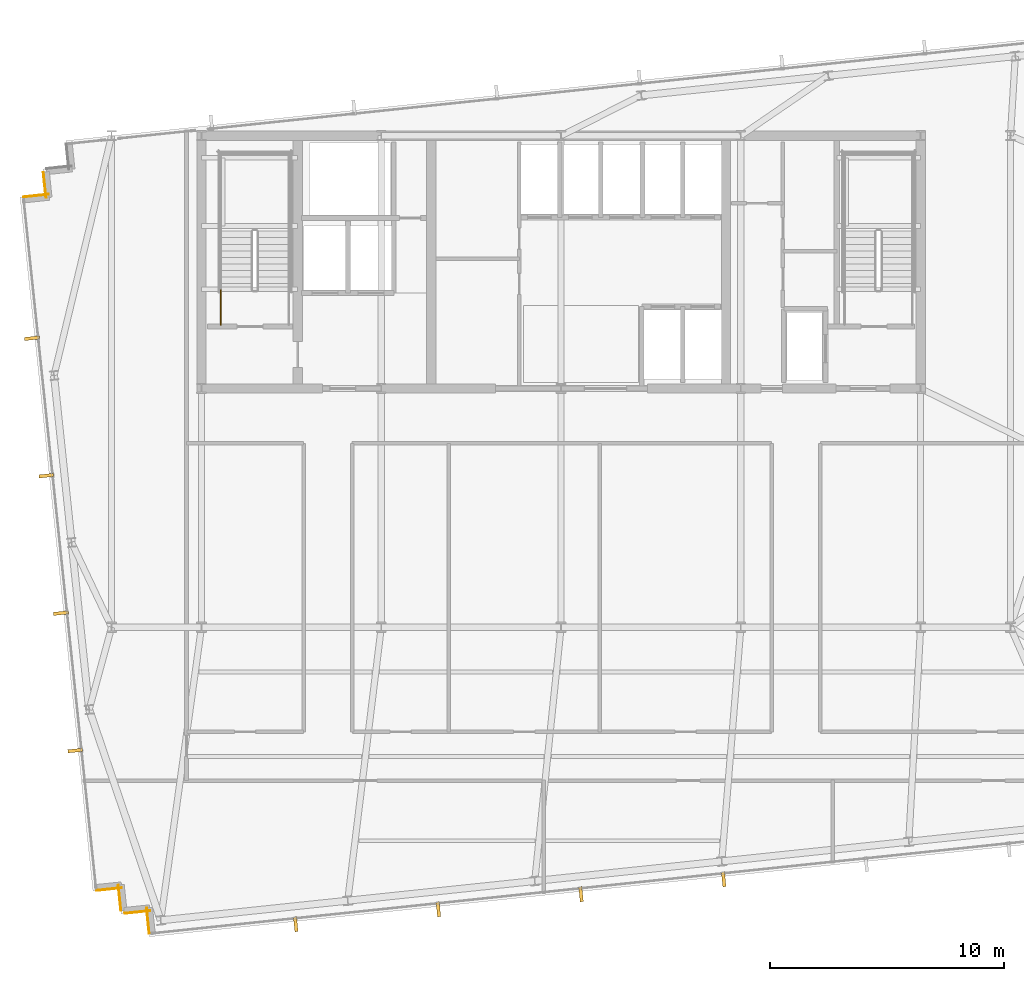
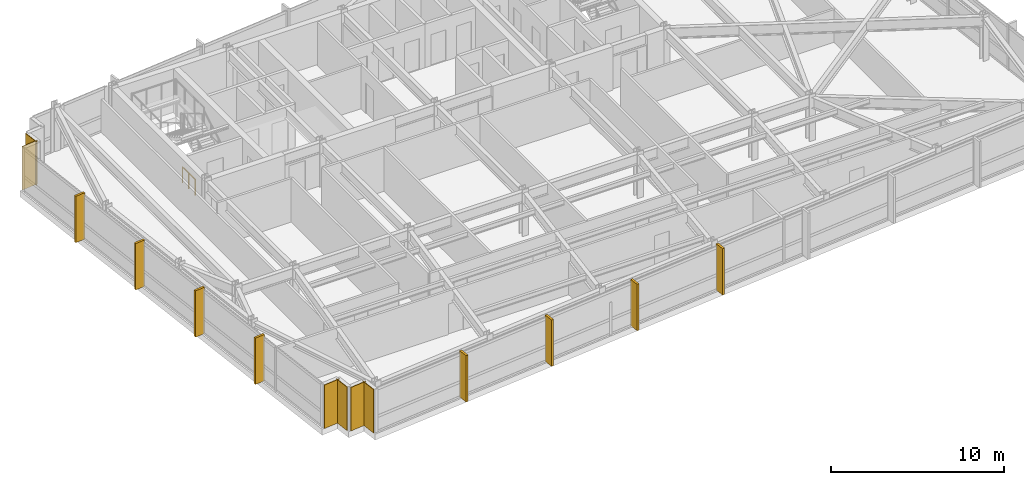
# One storey, part 23 of 26: 8 shading devices, 6 coverings, 1 railing.
"""IFC4 building model written with IfcOpenShell, lengths in metres."""

from ifc_helpers import new_model, si_unit, direction, frame, frame_2d, origin, origin_2d, place, context, subcontext, project, spatial, rectangle, circle, extrude, material, layer, layer_set, type_object, element, save


model = new_model("IFC4")

# Units and contexts
model_context = context("Model", 3, precision=1e-05, world=origin(), true_north=direction((0.0, 1.0)))
body_context = subcontext(model_context, "Body", "Model", "MODEL_VIEW")
ifc_project = project(units=[si_unit("LENGTHUNIT", "METRE"), si_unit("AREAUNIT", "SQUARE_METRE"), si_unit("VOLUMEUNIT", "CUBIC_METRE"), si_unit("PLANEANGLEUNIT", "RADIAN"), si_unit("MASSUNIT", "GRAM", prefix="KILO")], contexts=[model_context])

# Site, building, storey
site_placement = place(None, origin())
site = spatial("IfcSite", under=ifc_project, at=site_placement, CompositionType="ELEMENT")
building_placement = place(site_placement, origin())
building = spatial("IfcBuilding", under=site, at=building_placement, Name="Yelkora Congress Tower", CompositionType="ELEMENT")
storey_placement = place(building_placement, frame((0.0, 0.0, 204.5)))
storey = spatial("IfcBuildingStorey", under=building, at=storey_placement, Name="L56", CompositionType="ELEMENT", Elevation=204.5)

# Coverings
ifc_material_1 = material(Name="Anatolian bush-hammered limestone", Category="masonry")
ifc_layer_1 = layer(ifc_material_1, 0.0400390625)
ifc_layer_set_1 = layer_set([ifc_layer_1], Name="Anatolian bush-hammered limestone")
covering_type = type_object("IfcCoveringType", Name="COV-CLAD-SPANDREL-40", PredefinedType="CLADDING", material=ifc_layer_set_1)
covering_1_placement = place(storey_placement, frame((20.810302734375, 12.114501953125, 0.0), z_axis=(0.0, 0.0, 1.0), x_axis=(-0.104557671117, 0.994518825066, 0.0)))
element("IfcCovering", 1, at=covering_1_placement, inside=storey, type_object=covering_type, Name="L56 Anatolian Limestone Cladding EW-L56-SR01", PredefinedType="CLADDING", context=body_context, shape_type="SweptSolid", body=[
    extrude(rectangle(XDim=1.099853515625, YDim=0.0400390625, at=frame_2d((0.5498046875, 0.0))), origin(), (0.0, 0.0, 1.0), 3.080078125),
])
for number, where, z_axis, x_axis, name in (
    (2, (20.84375, 13.088134765625, 0.0), (0.0, 0.0, 1.0), (-0.994521251134, -0.104534592565, 0.0), "L56 Anatolian Limestone Cladding EW-L56-SR02"),
    (3, (19.601318359375, 13.09326171875, 0.0), (0.0, 0.0, 1.0), (-0.104534592565, 0.994521251134, 0.0), "L56 Anatolian Limestone Cladding EW-L56-SR03"),
    (4, (19.634765625, 14.067138671875, 0.0), (0.0, 0.0, 1.0), (-0.994521251134, -0.104534592565, 0.0), "L56 Anatolian Limestone Cladding EW-L56-SR04"),
):
    element("IfcCovering", number, at=place(storey_placement, frame(where, z_axis=z_axis, x_axis=x_axis)), inside=storey, type_object=covering_type, Name=name, PredefinedType="CLADDING", context=body_context, shape_type="SweptSolid", body=[
        extrude(rectangle(XDim=1.10009765625, YDim=0.0400390625, at=frame_2d((0.550048828125, 0.0))), origin(), (0.0, 0.0, 1.0), 3.080078125),
    ])
covering_2_placement = place(storey_placement, frame((15.427001953125, 43.5791015625, 0.0), z_axis=(0.0, 0.0, 1.0), x_axis=(0.994518825066, 0.104557671117, 0.0)))
element("IfcCovering", 5, at=covering_2_placement, inside=storey, type_object=covering_type, Name="L56 Anatolian Limestone Cladding EW-L56-SR06", PredefinedType="CLADDING", context=body_context, shape_type="SweptSolid", body=[
    extrude(rectangle(XDim=1.099853515625, YDim=0.0400390625, at=frame_2d((0.5498046875, 0.0))), origin(), (0.0, 0.0, 1.0), 3.080078125),
])
covering_3_placement = place(storey_placement, frame((16.400634765625, 43.545654296875, 0.0), z_axis=(0.0, 0.0, 1.0), x_axis=(-0.104315068386, 0.994544300928, 0.0)))
element("IfcCovering", 6, at=covering_3_placement, inside=storey, type_object=covering_type, Name="L56 Anatolian Limestone Cladding EW-L56-SR07", PredefinedType="CLADDING", context=body_context, shape_type="SweptSolid", body=[
    extrude(rectangle(XDim=1.10009765625, YDim=0.0400390625, at=frame_2d((0.550048828125, 0.0))), origin(), (0.0, 0.0, 1.0), 3.080078125),
])

# Railing
ifc_material_2 = material(Name="Painted galvanised steel stair well guard with vertical infill", Category="steel")
ifc_layer_2 = layer(ifc_material_2, 0.06005859375)
ifc_layer_set_2 = layer_set([ifc_layer_2], Name="Painted galvanised steel stair well guard with vertical infill")
railing_type = type_object("IfcRailingType", Name="RAIL-STAIR-GUARD-1120", PredefinedType="GUARDRAIL", material=ifc_layer_set_2)
railing_placement = place(storey_placement, frame((23.8701171875, 38.1201171875, 0.0)))
element("IfcRailing", 7, at=railing_placement, inside=storey, type_object=railing_type, Name="ST-01 L56 Stair Well Guardrail 9", PredefinedType="GUARDRAIL", context=body_context, shape_type="SweptSolid", body=[
    extrude(circle(Radius=0.02392578125, at=origin_2d()), frame((0.0, 0.0, 1.09619140625), z_axis=(0.0, 1.0, 0.0), x_axis=(-1.0, 0.0, 0.0)), (0.0, 0.0, 1.0), 1.47998046875),
    extrude(circle(Radius=0.02099609375, at=origin_2d()), origin(), (0.0, 0.0, 1.0), 1.072021484375),
    extrude(circle(Radius=0.02099609375, at=origin_2d()), frame((0.0, 0.739990234375, 0.0)), (0.0, 0.0, 1.0), 1.072021484375),
    extrude(circle(Radius=0.02099609375, at=origin_2d()), frame((0.0, 1.47998046875, 0.0)), (0.0, 0.0, 1.0), 1.072021484375),
])

# Shading devices
ifc_material_3 = material(Name="Champagne anodised aluminium", Category="aluminium")
ifc_layer_3 = layer(ifc_material_3, 3.39990234375)
ifc_layer_set_3 = layer_set([ifc_layer_3], Name="Champagne anodised aluminium")
shading_device_type = type_object("IfcShadingDeviceType", Name="SHD-FIN-ALU-640", PredefinedType="USERDEFINED", material=ifc_layer_set_3)
for number, where, z_axis, x_axis, name in (
    (8, (17.65087890625, 19.930908203125, -0.02978515625), (0.0, 0.0, 1.0), (-0.104528463268, 0.994521895368, 0.0), "L56 Vertical Anodised Solar Fin 5-1"),
    (9, (17.033935546875, 25.802490234375, -0.02978515625), (0.0, 0.0, 1.0), (-0.104528463268, 0.994521895368, 0.0), "L56 Vertical Anodised Solar Fin 5-2"),
    (10, (16.416748046875, 31.67431640625, -0.02978515625), (0.0, 0.0, 1.0), (-0.104528463268, 0.994521895368, 0.0), "L56 Vertical Anodised Solar Fin 5-3"),
    (11, (15.799560546875, 37.5458984375, -0.02978515625), (0.0, 0.0, 1.0), (-0.104528463268, 0.994521895368, 0.0), "L56 Vertical Anodised Solar Fin 5-4"),
    (12, (45.347412109375, 14.431884765625, -0.02978515625), (0.0, 0.0, 1.0), (-0.994521895368, -0.104528463268, 0.0), "L56 Vertical Anodised Solar Fin 20-4"),
    (13, (39.253662109375, 13.79150390625, -0.02978515625), (0.0, 0.0, 1.0), (-0.994521895368, -0.104528463268, 0.0), "L56 Vertical Anodised Solar Fin 20-5"),
    (14, (33.15966796875, 13.15087890625, -0.02978515625), (0.0, 0.0, 1.0), (-0.994521895368, -0.104528463268, 0.0), "L56 Vertical Anodised Solar Fin 20-6"),
    (15, (27.065673828125, 12.510498046875, -0.02978515625), (0.0, 0.0, 1.0), (-0.994521895368, -0.104528463268, 0.0), "L56 Vertical Anodised Solar Fin 20-7"),
):
    element("IfcShadingDevice", number, at=place(storey_placement, frame(where, z_axis=z_axis, x_axis=x_axis)), inside=storey, type_object=shading_device_type, Name=name, ObjectType="FIN", PredefinedType="USERDEFINED", context=body_context, shape_type="SweptSolid", body=[
        extrude(rectangle(XDim=0.139892578125, YDim=0.639892578125, at=origin_2d()), origin(), (0.0, 0.0, 1.0), 3.280029296875),
    ])

save(model, "model.ifc")
